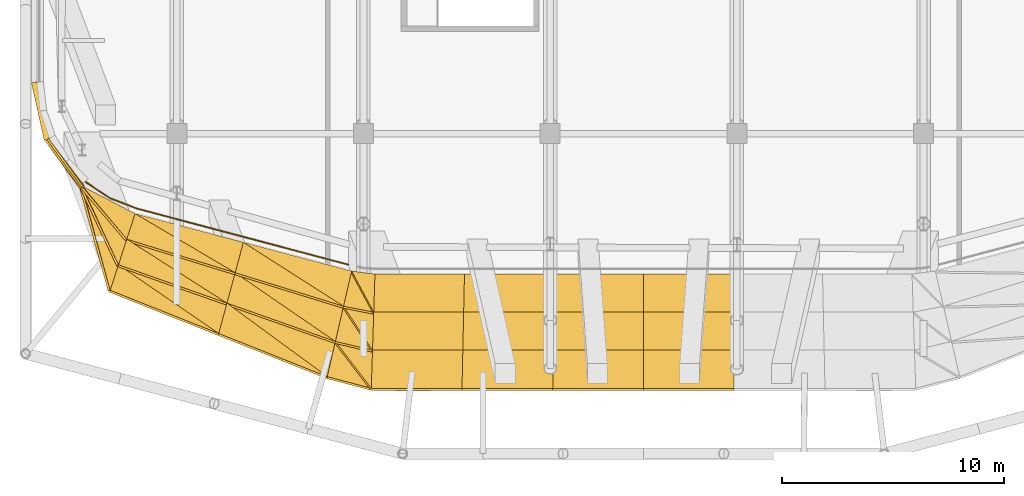
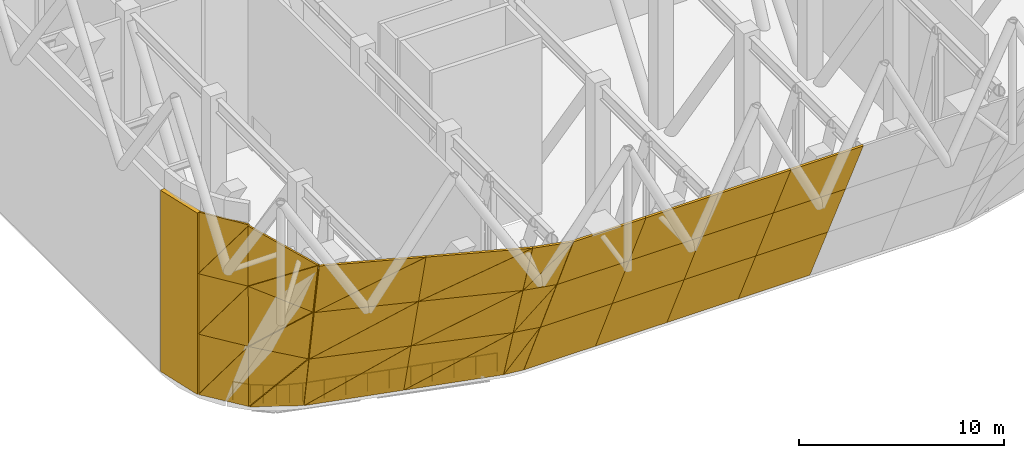
# One storey, part 15 of 20: 43 shading devices, 1 railing.
"""IFC4 building model written with IfcOpenShell, lengths in metres."""

from ifc_helpers import new_model, si_unit, direction, frame, frame_2d, origin, origin_2d, place, context, subcontext, project, spatial, polyline, rectangle, circle, outline, extrude, material, layer, layer_set, type_object, element, save


model = new_model("IFC4")

# Units and contexts
model_context = context("Model", 3, precision=1e-05, world=origin(), true_north=direction((0.0, 1.0)))
body_context = subcontext(model_context, "Body", "Model", "MODEL_VIEW")
ifc_project = project(units=[si_unit("LENGTHUNIT", "METRE"), si_unit("AREAUNIT", "SQUARE_METRE"), si_unit("VOLUMEUNIT", "CUBIC_METRE"), si_unit("PLANEANGLEUNIT", "RADIAN"), si_unit("MASSUNIT", "GRAM", prefix="KILO")], contexts=[model_context])

# Site, building, storey
site_placement = place(None, origin())
site = spatial("IfcSite", under=ifc_project, at=site_placement, CompositionType="ELEMENT")
building_placement = place(site_placement, origin())
building = spatial("IfcBuilding", under=site, at=building_placement, Name="Marenta Gate Hotel Tower", CompositionType="ELEMENT")
storey_placement = place(building_placement, frame((0.0, 0.0, 169.699951171875)))
storey = spatial("IfcBuildingStorey", under=building, at=storey_placement, Name="L40", CompositionType="ELEMENT", Elevation=169.699951171875)

# Railing
ifc_material_1 = material(Name="Stainless steel", Category="steel")
railing_type = type_object("IfcRailingType", Name="Guard 1100 stainless balustrade", PredefinedType="GUARDRAIL", material=ifc_material_1)
railing_placement = place(storey_placement, frame((-13.286376953125, -22.693603515625, 0.0)))
element("IfcRailing", 1, at=railing_placement, inside=storey, type_object=railing_type, Name="Guard", PredefinedType="GUARDRAIL", context=body_context, shape_type="SweptSolid", body=[
    extrude(circle(Radius=0.02392578125, at=origin_2d()), frame((0.0, 0.0, 1.076171875), z_axis=(-0.966561808758, 0.256433753337, 0.0), x_axis=(-0.256433753337, -0.966561808758, 0.0)), (0.0, 0.0, 1.0), 9.84423828125),
    extrude(circle(Radius=0.02392578125, at=origin_2d()), frame((-9.51513671875, 2.5244140625, 1.076171875), z_axis=(-0.932851670105, 0.360260685592, 0.0), x_axis=(-0.360260685592, -0.932851670105, 0.0)), (0.0, 0.0, 1.0), 1.2890625),
    extrude(circle(Radius=0.02392578125, at=origin_2d()), frame((-10.717529296875, 2.98876953125, 1.076171875), z_axis=(-0.83257703296, 0.553909274329, 0.0), x_axis=(-0.553909274329, -0.83257703296, 0.0)), (0.0, 0.0, 1.0), 1.28271484375),
    extrude(circle(Radius=0.02392578125, at=origin_2d()), frame((-11.785400390625, 3.69921875, 1.076171875), z_axis=(-0.692543260277, 0.721376346053, 0.0), x_axis=(-0.721376346053, -0.692543260277, 0.0)), (0.0, 0.0, 1.0), 0.88916015625),
    extrude(circle(Radius=0.02099609375, at=origin_2d()), origin(), (0.0, 0.0, 1.0), 1.052001953125),
    extrude(circle(Radius=0.02099609375, at=origin_2d()), frame((-1.05712890625, 0.280517578125, 0.0)), (0.0, 0.0, 1.0), 1.052001953125),
    extrude(circle(Radius=0.02099609375, at=origin_2d()), frame((-2.114501953125, 0.56103515625, 0.0)), (0.0, 0.0, 1.0), 1.052001953125),
    extrude(circle(Radius=0.02099609375, at=origin_2d()), frame((-3.171630859375, 0.841552734375, 0.0)), (0.0, 0.0, 1.0), 1.052001953125),
    extrude(circle(Radius=0.02099609375, at=origin_2d()), frame((-4.22900390625, 1.1220703125, 0.0)), (0.0, 0.0, 1.0), 1.052001953125),
    extrude(circle(Radius=0.02099609375, at=origin_2d()), frame((-5.2861328125, 1.40234375, 0.0)), (0.0, 0.0, 1.0), 1.052001953125),
    extrude(circle(Radius=0.02099609375, at=origin_2d()), frame((-6.343505859375, 1.682861328125, 0.0)), (0.0, 0.0, 1.0), 1.052001953125),
    extrude(circle(Radius=0.02099609375, at=origin_2d()), frame((-7.400634765625, 1.96337890625, 0.0)), (0.0, 0.0, 1.0), 1.052001953125),
    extrude(circle(Radius=0.02099609375, at=origin_2d()), frame((-8.4580078125, 2.243896484375, 0.0)), (0.0, 0.0, 1.0), 1.052001953125),
    extrude(circle(Radius=0.02099609375, at=origin_2d()), frame((-9.51513671875, 2.5244140625, 0.0)), (0.0, 0.0, 1.0), 1.052001953125),
    extrude(circle(Radius=0.02099609375, at=origin_2d()), frame((-10.1162109375, 2.756591796875, 0.0)), (0.0, 0.0, 1.0), 1.052001953125),
    extrude(circle(Radius=0.02099609375, at=origin_2d()), frame((-10.717529296875, 2.98876953125, 0.0)), (0.0, 0.0, 1.0), 1.052001953125),
    extrude(circle(Radius=0.02099609375, at=origin_2d()), frame((-11.25146484375, 3.343994140625, 0.0)), (0.0, 0.0, 1.0), 1.052001953125),
    extrude(circle(Radius=0.02099609375, at=origin_2d()), frame((-11.785400390625, 3.69921875, 0.0)), (0.0, 0.0, 1.0), 1.052001953125),
    extrude(circle(Radius=0.02099609375, at=origin_2d()), frame((-12.401123046875, 4.340576171875, 0.0)), (0.0, 0.0, 1.0), 1.052001953125),
])

# Shading devices
ifc_material_2 = material(Name="Bronze anodised aluminium louvre", Category="aluminium")
ifc_layer_1 = layer(ifc_material_2, 0.10009765625)
ifc_layer_set_1 = layer_set([ifc_layer_1], Name="Bronze anodised aluminium louvre")
shading_device_type_1 = type_object("IfcShadingDeviceType", Name="Louvre blade 100 mm inclined", PredefinedType="JALOUSIE", material=ifc_layer_set_1)
shading_device_1_placement = place(storey_placement, frame((-13.131103515625, -22.983154296875, 0.0), z_axis=(0.116818347026, 0.896163605039, 0.428070399353), x_axis=(0.99161070493, -0.129260240866, 0.0)))
element("IfcShadingDevice", 2, at=shading_device_1_placement, inside=storey, type_object=shading_device_type_1, Name="Louvre blade", PredefinedType="JALOUSIE", context=body_context, shape_type="SweptSolid", body=[
    extrude(outline(polyline([(0.0, 0.0), (1.05770149493729, 0.0), (1.223849954095166, -3.983530858270174), (0.0, 0.0)])), origin(), (0.0, 0.0, -1.0), 0.10009765625),
])
shading_device_2_placement = place(storey_placement, frame((-13.131103515625, -22.983154296875, 0.0), z_axis=(0.174709198164, 0.894601101177, 0.411297417753), x_axis=(0.238323578604, -0.443722415031, 0.863893679963)))
element("IfcShadingDevice", 3, at=shading_device_2_placement, inside=storey, type_object=shading_device_type_1, Name="Louvre blade", PredefinedType="JALOUSIE", context=body_context, shape_type="SweptSolid", body=[
    extrude(outline(polyline([(0.0, 0.0), (4.167292503404273, 0.0), (3.7256823218498223, -1.3122425699790419), (0.0, 0.0)])), origin(), (0.0, 0.0, -1.0), 0.10009765625),
])
shading_device_3_placement = place(storey_placement, frame((-13.496826171875, -24.56689453125, 3.60009765625), z_axis=(0.173479810517, 0.888306003073, 0.425226057819), x_axis=(0.981459051327, -0.191671934745, 0.0)))
element("IfcShadingDevice", 4, at=shading_device_3_placement, inside=storey, type_object=shading_device_type_1, Name="Louvre blade", PredefinedType="JALOUSIE", context=body_context, shape_type="SweptSolid", body=[
    extrude(outline(polyline([(0.0, 0.0), (1.3845577326055258, 1.3877787807814457e-17), (1.6583848189463573, -3.977355555562626), (0.0, 0.0)])), origin(), (0.0, 0.0, -1.0), 0.10009765625),
])
shading_device_4_placement = place(storey_placement, frame((-13.496826171875, -24.56689453125, 3.60009765625), z_axis=(0.209269791033, 0.887028866271, 0.411565237798), x_axis=(0.302481437709, -0.458962750867, 0.835379059564)))
element("IfcShadingDevice", 5, at=shading_device_4_placement, inside=storey, type_object=shading_device_type_1, Name="Louvre blade", PredefinedType="JALOUSIE", context=body_context, shape_type="SweptSolid", body=[
    extrude(outline(polyline([(0.0, 0.0), (4.309245574700592, -2.220446049250313e-16), (3.6236077556668973, -1.5719960968676352), (0.0, 0.0)])), origin(), (0.0, 0.0, -1.0), 0.10009765625),
])
shading_device_5_placement = place(storey_placement, frame((-13.862548828125, -26.15087890625, 7.199951171875), z_axis=(0.208095328582, 0.882050689098, 0.422709020586), x_axis=(0.973280708654, -0.229618514415, 0.0)))
element("IfcShadingDevice", 6, at=shading_device_5_placement, inside=storey, type_object=shading_device_type_1, Name="Louvre blade", PredefinedType="JALOUSIE", context=body_context, shape_type="SweptSolid", body=[
    extrude(outline(polyline([(0.0, 0.0), (1.7150133957075555, 0.0), (2.0539798605568302, -3.9724537845803267), (0.0, 0.0)])), origin(), (0.0, 0.0, -1.0), 0.10009765625),
])
shading_device_6_placement = place(storey_placement, frame((-13.862548828125, -26.15087890625, 7.199951171875), z_axis=(0.232398365026, 0.881331124241, 0.4113957333), x_axis=(0.360802260308, -0.47091546337, 0.805021959524)))
element("IfcShadingDevice", 7, at=shading_device_6_placement, inside=storey, type_object=shading_device_type_1, Name="Louvre blade", PredefinedType="JALOUSIE", context=body_context, shape_type="SweptSolid", body=[
    extrude(outline(polyline([(0.0, 0.0), (4.47204900892193, 0.0), (3.5120387581264096, -1.8080998569254239), (0.0, 0.0)])), origin(), (0.0, 0.0, -1.0), 0.10009765625),
])
shading_device_7_placement = place(storey_placement, frame((-12.082275390625, -23.119873046875, 0.0), z_axis=(0.0, 0.903048341594, 0.429538930418), x_axis=(1.0, 0.0, 0.0)))
element("IfcShadingDevice", 8, at=shading_device_7_placement, inside=storey, type_object=shading_device_type_1, Name="Louvre blade", PredefinedType="JALOUSIE", context=body_context, shape_type="SweptSolid", body=[
    extrude(outline(polyline([(0.0, 0.0), (4.02734375, 0.0), (3.990478515625, -3.9866056892320367), (-0.0556640625, -3.9866056892320367), (0.0, 0.0)])), origin(), (0.0, 0.0, -1.0), 0.10009765625),
])
shading_device_8_placement = place(storey_placement, frame((-12.137939453125, -24.832275390625, 3.60009765625), z_axis=(0.0, 0.903037041609, 0.429562686324), x_axis=(1.0, 0.0, 0.0)))
element("IfcShadingDevice", 9, at=shading_device_8_placement, inside=storey, type_object=shading_device_type_1, Name="Louvre blade", PredefinedType="JALOUSIE", context=body_context, shape_type="SweptSolid", body=[
    extrude(outline(polyline([(0.0, 0.0), (4.046142578125, 0.0), (4.009033203125, -3.986385219824869), (-0.055419921875, -3.986385219824869), (0.0, 0.0)])), origin(), (0.0, 0.0, -1.0), 0.10009765625),
])
shading_device_9_placement = place(storey_placement, frame((-12.193359375, -26.544677734375, 7.199951171875), z_axis=(0.0, 0.903072095579, 0.429488987271), x_axis=(1.0, 0.0, 0.0)))
element("IfcShadingDevice", 10, at=shading_device_9_placement, inside=storey, type_object=shading_device_type_1, Name="Louvre blade", PredefinedType="JALOUSIE", context=body_context, shape_type="SweptSolid", body=[
    extrude(outline(polyline([(0.0, 0.0), (4.064453125, 0.0), (4.02734375, -3.9865008274255973), (-0.0556640625, -3.9865008274255973), (0.0, 0.0)])), origin(), (0.0, 0.0, -1.0), 0.10009765625),
])
shading_device_10_placement = place(storey_placement, frame((-8.054931640625, -23.119873046875, 0.0), z_axis=(0.0, 0.903048341594, 0.429538930418), x_axis=(1.0, 0.0, 0.0)))
element("IfcShadingDevice", 11, at=shading_device_10_placement, inside=storey, type_object=shading_device_type_1, Name="Louvre blade", PredefinedType="JALOUSIE", context=body_context, shape_type="SweptSolid", body=[
    extrude(outline(polyline([(0.0, 0.0), (4.027587890625, 0.0), (4.009033203125, -3.9866056892320367), (-0.036865234375, -3.9866056892320367), (0.0, 0.0)])), origin(), (0.0, 0.0, -1.0), 0.10009765625),
])
shading_device_11_placement = place(storey_placement, frame((-8.091796875, -24.832275390625, 3.60009765625), z_axis=(0.0, 0.903037041609, 0.429562686324), x_axis=(1.0, 0.0, 0.0)))
element("IfcShadingDevice", 12, at=shading_device_11_placement, inside=storey, type_object=shading_device_type_1, Name="Louvre blade", PredefinedType="JALOUSIE", context=body_context, shape_type="SweptSolid", body=[
    extrude(outline(polyline([(0.0, 0.0), (4.0458984375, 0.0), (4.02734375, -3.9863852198248684), (-0.037109375, -3.9863852198248684), (0.0, 0.0)])), origin(), (0.0, 0.0, -1.0), 0.10009765625),
])
shading_device_12_placement = place(storey_placement, frame((-8.12890625, -26.544677734375, 7.199951171875), z_axis=(0.0, 0.903072095579, 0.429488987271), x_axis=(1.0, 0.0, 0.0)))
element("IfcShadingDevice", 13, at=shading_device_12_placement, inside=storey, type_object=shading_device_type_1, Name="Louvre blade", PredefinedType="JALOUSIE", context=body_context, shape_type="SweptSolid", body=[
    extrude(outline(polyline([(0.0, 0.0), (4.064453125, 0.0), (4.0458984375, -3.9865008274255973), (-0.037109375, -3.9865008274255973), (0.0, 0.0)])), origin(), (0.0, 0.0, -1.0), 0.10009765625),
])
shading_device_13_placement = place(storey_placement, frame((-4.02734375, -23.119873046875, 0.0), z_axis=(0.0, 0.903048341594, 0.429538930418), x_axis=(1.0, 0.0, 0.0)))
element("IfcShadingDevice", 14, at=shading_device_13_placement, inside=storey, type_object=shading_device_type_1, Name="Louvre blade", PredefinedType="JALOUSIE", context=body_context, shape_type="SweptSolid", body=[
    extrude(outline(polyline([(0.0, 0.0), (4.02734375, 0.0), (4.02734375, -3.986605689232036), (-0.0185546875, -3.986605689232036), (0.0, 0.0)])), origin(), (0.0, 0.0, -1.0), 0.10009765625),
])
shading_device_14_placement = place(storey_placement, frame((-4.0458984375, -24.832275390625, 3.60009765625), z_axis=(0.0, 0.903037041609, 0.429562686324), x_axis=(1.0, 0.0, 0.0)))
element("IfcShadingDevice", 15, at=shading_device_14_placement, inside=storey, type_object=shading_device_type_1, Name="Louvre blade", PredefinedType="JALOUSIE", context=body_context, shape_type="SweptSolid", body=[
    extrude(outline(polyline([(0.0, 0.0), (4.0458984375, 0.0), (4.0458984375, -3.9863852198248684), (-0.0185546875, -3.9863852198248684), (0.0, 0.0)])), origin(), (0.0, 0.0, -1.0), 0.10009765625),
])
shading_device_15_placement = place(storey_placement, frame((-4.064453125, -26.544677734375, 7.199951171875), z_axis=(0.0, 0.903072095579, 0.429488987271), x_axis=(1.0, 0.0, 0.0)))
element("IfcShadingDevice", 16, at=shading_device_15_placement, inside=storey, type_object=shading_device_type_1, Name="Louvre blade", PredefinedType="JALOUSIE", context=body_context, shape_type="SweptSolid", body=[
    extrude(outline(polyline([(0.0, 0.0), (4.064453125, 0.0), (4.064453125, -3.9865008274255973), (-0.0185546875, -3.9865008274255973), (0.0, 0.0)])), origin(), (0.0, 0.0, -1.0), 0.10009765625),
])
shading_device_16_placement = place(storey_placement, frame((0.0, -23.119873046875, 0.0), z_axis=(0.0, 0.903048341594, 0.429538930418), x_axis=(1.0, 0.0, 0.0)))
element("IfcShadingDevice", 17, at=shading_device_16_placement, inside=storey, type_object=shading_device_type_1, Name="Louvre blade", PredefinedType="JALOUSIE", context=body_context, shape_type="SweptSolid", body=[
    extrude(outline(polyline([(0.0, 0.0), (4.02734375, 0.0), (4.0458984375, -3.986605689232036), (0.0, -3.986605689232036), (0.0, 0.0)])), origin(), (0.0, 0.0, -1.0), 0.10009765625),
])
shading_device_17_placement = place(storey_placement, frame((0.0, -24.832275390625, 3.60009765625), z_axis=(0.0, 0.903037041609, 0.429562686324), x_axis=(1.0, 0.0, 0.0)))
element("IfcShadingDevice", 18, at=shading_device_17_placement, inside=storey, type_object=shading_device_type_1, Name="Louvre blade", PredefinedType="JALOUSIE", context=body_context, shape_type="SweptSolid", body=[
    extrude(outline(polyline([(0.0, 0.0), (4.0458984375, 0.0), (4.064453125, -3.9863852198248684), (0.0, -3.9863852198248684), (0.0, 0.0)])), origin(), (0.0, 0.0, -1.0), 0.10009765625),
])
shading_device_18_placement = place(storey_placement, frame((0.0, -26.544677734375, 7.199951171875), z_axis=(0.0, 0.903072095579, 0.429488987271), x_axis=(1.0, 0.0, 0.0)))
element("IfcShadingDevice", 19, at=shading_device_18_placement, inside=storey, type_object=shading_device_type_1, Name="Louvre blade", PredefinedType="JALOUSIE", context=body_context, shape_type="SweptSolid", body=[
    extrude(outline(polyline([(0.0, 0.0), (4.064453125, 0.0), (4.0830078125, -3.9865008274255973), (0.0, -3.9865008274255973), (0.0, 0.0)])), origin(), (0.0, 0.0, -1.0), 0.10009765625),
])
shading_device_19_placement = place(storey_placement, frame((-26.844482421875, -17.0751953125, 0.0), z_axis=(0.792624298666, 0.609668544918, 0.007140483239), x_axis=(0.609684087946, -0.792644506009, 0.0)))
element("IfcShadingDevice", 20, at=shading_device_19_placement, inside=storey, type_object=shading_device_type_1, Name="Louvre blade", PredefinedType="JALOUSIE", context=body_context, shape_type="SweptSolid", body=[
    extrude(outline(polyline([(0.0, 0.0), (2.6541025007766863, 0.0), (2.6598938318144043, -3.6001894379508963), (0.0, 0.0)])), origin(), (0.0, 0.0, -1.0), 0.10009765625),
])
shading_device_20_placement = place(storey_placement, frame((-26.844482421875, -17.0751953125, 0.0), z_axis=(-0.798499631902, -0.601995297201, 0.0), x_axis=(0.357740282126, -0.474514476977, 0.804274767529)))
element("IfcShadingDevice", 21, at=shading_device_20_placement, inside=storey, type_object=shading_device_type_1, Name="Louvre blade", PredefinedType="JALOUSIE", context=body_context, shape_type="SweptSolid", body=[
    extrude(outline(polyline([(0.0, 0.0), (4.476203657750338, 4.440892098500626e-16), (2.8954677055624787, 2.1393854025353876), (0.0, 0.0)])), origin(), (0.0, 0.0, -1.0), 0.10009765625),
])
shading_device_21_placement = place(storey_placement, frame((-26.844482421875, -17.0751953125, 3.60009765625), z_axis=(0.79847936298, 0.601980016297, 0.00712508765), x_axis=(0.601995297201, -0.798499631902, 0.0)))
element("IfcShadingDevice", 22, at=shading_device_21_placement, inside=storey, type_object=shading_device_type_1, Name="Louvre blade", PredefinedType="JALOUSIE", context=body_context, shape_type="SweptSolid", body=[
    extrude(outline(polyline([(0.0, 0.0), (2.6600180546606746, 0.0), (2.6660575551345596, -3.599944895759286), (0.0, 0.0)])), origin(), (0.0, 0.0, -1.0), 0.10009765625),
])
shading_device_22_placement = place(storey_placement, frame((-26.844482421875, -17.0751953125, 3.60009765625), z_axis=(-0.804254158843, -0.594285493668, 0.0), x_axis=(0.353702785008, -0.478670502423, 0.803597467634)))
element("IfcShadingDevice", 23, at=shading_device_22_placement, inside=storey, type_object=shading_device_type_1, Name="Louvre blade", PredefinedType="JALOUSIE", context=body_context, shape_type="SweptSolid", body=[
    extrude(outline(polyline([(0.0, 0.0), (4.479672548277764, 4.440892098500626e-16), (2.8928331690091533, 2.1425362517908852), (0.0, 0.0)])), origin(), (0.0, 0.0, -1.0), 0.10009765625),
])
shading_device_23_placement = place(storey_placement, frame((-26.844482421875, -17.0751953125, 7.199951171875), z_axis=(0.804233527896, 0.594270248895, 0.007162673105), x_axis=(0.594285493668, -0.804254158843, 0.0)))
element("IfcShadingDevice", 24, at=shading_device_23_placement, inside=storey, type_object=shading_device_type_1, Name="Louvre blade", PredefinedType="JALOUSIE", context=body_context, shape_type="SweptSolid", body=[
    extrude(outline(polyline([(0.0, 0.0), (2.6661809401906176, -1.734723475976807e-18), (2.672321836339825, -3.6001900093034656), (0.0, 0.0)])), origin(), (0.0, 0.0, -1.0), 0.10009765625),
])
shading_device_24_placement = place(storey_placement, frame((-26.844482421875, -17.0751953125, 7.199951171875), z_axis=(-0.809951100151, -0.586497412922, 0.0), x_axis=(0.349581294069, -0.482770678071, 0.802947938059)))
element("IfcShadingDevice", 25, at=shading_device_24_placement, inside=storey, type_object=shading_device_type_1, Name="Louvre blade", PredefinedType="JALOUSIE", context=body_context, shape_type="SweptSolid", body=[
    extrude(outline(polyline([(0.0, 0.0), (4.4836003501725195, 4.440892098500626e-16), (2.8906909898956634, 2.145835206970184), (0.0, 0.0)])), origin(), (0.0, 0.0, -1.0), 0.10009765625),
])
shading_device_25_placement = place(storey_placement, frame((-25.226318359375, -19.178955078125, 0.0), z_axis=(0.4369066916, 0.842655774585, 0.314712231083), x_axis=(0.88776569567, -0.460295632819, 0.0)))
element("IfcShadingDevice", 26, at=shading_device_25_placement, inside=storey, type_object=shading_device_type_1, Name="Louvre blade", PredefinedType="JALOUSIE", context=body_context, shape_type="SweptSolid", body=[
    extrude(outline(polyline([(0.0, 0.0), (2.6477548625340592, 0.0), (2.8458876991392543, -3.7928218101304774), (0.0, 0.0)])), origin(), (0.0, 0.0, -1.0), 0.10009765625),
])
shading_device_26_placement = place(storey_placement, frame((-25.226318359375, -19.178955078125, 0.0), z_axis=(0.762409957981, 0.6470541543, 0.007209533562), x_axis=(0.416941852674, -0.499732973827, 0.759227532666)))
element("IfcShadingDevice", 27, at=shading_device_26_placement, inside=storey, type_object=shading_device_type_1, Name="Louvre blade", PredefinedType="JALOUSIE", context=body_context, shape_type="SweptSolid", body=[
    extrude(outline(polyline([(0.0, 0.0), (4.741790176664669, -4.440892098500626e-16), (2.7363960072483238, -2.339558595155037), (0.0, 0.0)])), origin(), (0.0, 0.0, -1.0), 0.10009765625),
])
shading_device_27_placement = place(storey_placement, frame((-25.2431640625, -19.19921875, 3.60009765625), z_axis=(0.733032530336, 0.622121653877, 0.27500537676), x_axis=(0.647070971044, -0.762429772787, 0.0)))
element("IfcShadingDevice", 28, at=shading_device_27_placement, inside=storey, type_object=shading_device_type_1, Name="Louvre blade", PredefinedType="JALOUSIE", context=body_context, shape_type="SweptSolid", body=[
    extrude(outline(polyline([(0.0, 0.0), (3.0814185361441706, 0.0), (3.7170211465571104, -3.744220596495017), (0.0, 0.0)])), origin(), (0.0, 0.0, -1.0), 0.10009765625),
])
shading_device_28_placement = place(storey_placement, frame((-25.2431640625, -19.19921875, 3.60009765625), z_axis=(0.904866419846, 0.425643983799, 0.006630331205), x_axis=(0.307077099795, -0.663436464701, 0.682316431054)))
element("IfcShadingDevice", 29, at=shading_device_28_placement, inside=storey, type_object=shading_device_type_1, Name="Louvre blade", PredefinedType="JALOUSIE", context=body_context, shape_type="SweptSolid", body=[
    extrude(outline(polyline([(0.0, 0.0), (5.27592968861131, 0.0), (2.4645099322693587, -2.624086607148284), (0.0, 0.0)])), origin(), (0.0, 0.0, -1.0), 0.10009765625),
])
shading_device_29_placement = place(storey_placement, frame((-25.260009765625, -19.219482421875, 7.199951171875), z_axis=(0.88187470563, 0.414828813052, 0.224084937985), x_axis=(0.425653340037, -0.90488631005, 0.0)))
element("IfcShadingDevice", 30, at=shading_device_29_placement, inside=storey, type_object=shading_device_type_1, Name="Louvre blade", PredefinedType="JALOUSIE", context=body_context, shape_type="SweptSolid", body=[
    extrude(outline(polyline([(0.0, 0.0), (3.8457654073233365, 5.551115123125783e-17), (4.7279625677258, -3.694038465085899), (0.0, 0.0)])), origin(), (0.0, 0.0, -1.0), 0.10009765625),
])
shading_device_30_placement = place(storey_placement, frame((-25.260009765625, -19.219482421875, 7.199951171875), z_axis=(0.963507409345, 0.267612601251, 0.006080114238), x_axis=(0.210572604492, -0.771774026938, 0.600020024317)))
element("IfcShadingDevice", 31, at=shading_device_30_placement, inside=storey, type_object=shading_device_type_1, Name="Louvre blade", PredefinedType="JALOUSIE", context=body_context, shape_type="SweptSolid", body=[
    extrude(outline(polyline([(0.0, 0.0), (5.999962518495472, 0.0), (2.172171005982168, -2.8710762676154076), (0.0, 0.0)])), origin(), (0.0, 0.0, -1.0), 0.10009765625),
])
shading_device_31_placement = place(storey_placement, frame((-22.875732421875, -20.397705078125, 0.0), z_axis=(0.23864005768, 0.899440912392, 0.366137908425), x_axis=(0.966558127958, -0.256447626774, 0.0)))
element("IfcShadingDevice", 32, at=shading_device_31_placement, inside=storey, type_object=shading_device_type_1, Name="Louvre blade", PredefinedType="JALOUSIE", context=body_context, shape_type="SweptSolid", body=[
    extrude(outline(polyline([(0.0, 0.0), (5.040891294782552, -1.1102230246251565e-16), (5.034298070132957, -3.868740684517821), (0.0, 0.0)])), origin(), (0.0, 0.0, -1.0), 0.10009765625),
])
shading_device_32_placement = place(storey_placement, frame((-22.875732421875, -20.397705078125, 0.0), z_axis=(0.280274759491, 0.905520506521, 0.31855717142), x_axis=(0.709182734904, -0.418980376268, 0.567023185431)))
element("IfcShadingDevice", 33, at=shading_device_32_placement, inside=storey, type_object=shading_device_type_1, Name="Louvre blade", PredefinedType="JALOUSIE", context=body_context, shape_type="SweptSolid", body=[
    extrude(outline(polyline([(0.0, 0.0), (6.349118958012034, 0.0), (2.25862983439585, -3.0534153296791486), (0.0, 0.0)])), origin(), (0.0, 0.0, -1.0), 0.10009765625),
])
shading_device_33_placement = place(storey_placement, frame((-23.249267578125, -21.548583984375, 3.60009765625), z_axis=(0.275166130284, 0.889015386632, 0.365971642449), x_axis=(0.955287498997, -0.295678531958, 0.0)))
element("IfcShadingDevice", 34, at=shading_device_33_placement, inside=storey, type_object=shading_device_type_1, Name="Louvre blade", PredefinedType="JALOUSIE", context=body_context, shape_type="SweptSolid", body=[
    extrude(outline(polyline([(0.0, 0.0), (5.1044535893611505, 0.0), (5.155438671518588, -3.8682064600977606), (0.0, 0.0)])), origin(), (0.0, 0.0, -1.0), 0.10009765625),
])
shading_device_34_placement = place(storey_placement, frame((-23.249267578125, -21.548583984375, 3.60009765625), z_axis=(0.316043836489, 0.893676651234, 0.318525252464), x_axis=(0.69917074056, -0.44632835822, 0.558525981664)))
element("IfcShadingDevice", 35, at=shading_device_34_placement, inside=storey, type_object=shading_device_type_1, Name="Louvre blade", PredefinedType="JALOUSIE", context=body_context, shape_type="SweptSolid", body=[
    extrude(outline(polyline([(0.0, 0.0), (6.445274944773992, 0.0), (2.262946063595544, -3.049959617247197), (0.0, 0.0)])), origin(), (0.0, 0.0, -1.0), 0.10009765625),
])
shading_device_35_placement = place(storey_placement, frame((-23.623046875, -22.699462890625, 7.199951171875), z_axis=(0.310383917006, 0.877672105961, 0.365175982892), x_axis=(0.942782042557, -0.33340968827, 0.0)))
element("IfcShadingDevice", 36, at=shading_device_35_placement, inside=storey, type_object=shading_device_type_1, Name="Louvre blade", PredefinedType="JALOUSIE", context=body_context, shape_type="SweptSolid", body=[
    extrude(outline(polyline([(0.0, 0.0), (5.176304525158662, 1.1102230246251565e-16), (5.283658588118231, -3.8671702093642883), (0.0, 0.0)])), origin(), (0.0, 0.0, -1.0), 0.10009765625),
])
shading_device_36_placement = place(storey_placement, frame((-23.623046875, -22.699462890625, 7.199951171875), z_axis=(0.350373531534, 0.880998302958, 0.317931405472), x_axis=(0.688870133655, -0.472384071625, 0.549828362158)))
element("IfcShadingDevice", 37, at=shading_device_36_placement, inside=storey, type_object=shading_device_type_1, Name="Louvre blade", PredefinedType="JALOUSIE", context=body_context, shape_type="SweptSolid", body=[
    extrude(outline(polyline([(0.0, 0.0), (6.547675427507855, 0.0), (2.26566012047396, -3.048110271930836), (0.0, 0.0)])), origin(), (0.0, 0.0, -1.0), 0.10009765625),
])
shading_device_37_placement = place(storey_placement, frame((-18.00341796875, -21.6904296875, 0.0), z_axis=(0.233750110087, 0.881010566008, 0.411316506619), x_axis=(0.966558127958, -0.256447626774, 0.0)))
element("IfcShadingDevice", 38, at=shading_device_37_placement, inside=storey, type_object=shading_device_type_1, Name="Louvre blade", PredefinedType="JALOUSIE", context=body_context, shape_type="SweptSolid", body=[
    extrude(outline(polyline([(0.0, 0.0), (5.040891294782552, -1.1102230246251565e-16), (5.093545513338401, -3.949673006601655), (0.0, 0.0)])), origin(), (0.0, 0.0, -1.0), 0.10009765625),
])
shading_device_38_placement = place(storey_placement, frame((-18.00341796875, -21.6904296875, 0.0), z_axis=(0.275129826732, 0.889041907347, 0.365934509747), x_axis=(0.699187129696, -0.446276762668, 0.558546693456)))
element("IfcShadingDevice", 39, at=shading_device_38_placement, inside=storey, type_object=shading_device_type_1, Name="Louvre blade", PredefinedType="JALOUSIE", context=body_context, shape_type="SweptSolid", body=[
    extrude(outline(polyline([(0.0, 0.0), (6.44547304358086, 0.0), (2.3626358337496898, -3.0635191972201845), (0.0, 0.0)])), origin(), (0.0, 0.0, -1.0), 0.10009765625),
])
shading_device_39_placement = place(storey_placement, frame((-18.373046875, -23.057861328125, 3.60009765625), z_axis=(0.269557456348, 0.871035605184, 0.410652836626), x_axis=(0.955301007859, -0.295634883572, 0.0)))
element("IfcShadingDevice", 40, at=shading_device_39_placement, inside=storey, type_object=shading_device_type_1, Name="Louvre blade", PredefinedType="JALOUSIE", context=body_context, shape_type="SweptSolid", body=[
    extrude(outline(polyline([(0.0, 0.0), (5.104381407547693, 0.0), (5.2232872217175785, -3.9481092060444545), (0.0, 0.0)])), origin(), (0.0, 0.0, -1.0), 0.10009765625),
])
shading_device_40_placement = place(storey_placement, frame((-18.373046875, -23.057861328125, 3.60009765625), z_axis=(0.310318961689, 0.877656486159, 0.365268715221), x_axis=(0.688884256299, -0.472393756052, 0.549802346909)))
element("IfcShadingDevice", 41, at=shading_device_40_placement, inside=storey, type_object=shading_device_type_1, Name="Louvre blade", PredefinedType="JALOUSIE", context=body_context, shape_type="SweptSolid", body=[
    extrude(outline(polyline([(0.0, 0.0), (6.547541195243532, 0.0), (2.3703743614546973, -3.057277560690701), (0.0, 0.0)])), origin(), (0.0, 0.0, -1.0), 0.10009765625),
])
shading_device_41_placement = place(storey_placement, frame((-18.742919921875, -24.42529296875, 7.199951171875), z_axis=(0.304138990308, 0.86017804418, 0.40938149309), x_axis=(0.942802108747, -0.333352941702, 0.0)))
element("IfcShadingDevice", 42, at=shading_device_41_placement, inside=storey, type_object=shading_device_type_1, Name="Louvre blade", PredefinedType="JALOUSIE", context=body_context, shape_type="SweptSolid", body=[
    extrude(outline(polyline([(0.0, 0.0), (5.176453307082788, 0.0), (5.3594448902740455, -3.9459036242256333), (0.0, 0.0)])), origin(), (0.0, 0.0, -1.0), 0.10009765625),
])
shading_device_42_placement = place(storey_placement, frame((-18.742919921875, -24.42529296875, 7.199951171875), z_axis=(0.34419506304, 0.865462825051, 0.364010792468), x_axis=(0.678311150334, -0.497278998103, 0.540932141195)))
element("IfcShadingDevice", 43, at=shading_device_42_placement, inside=storey, type_object=shading_device_type_1, Name="Louvre blade", PredefinedType="JALOUSIE", context=body_context, shape_type="SweptSolid", body=[
    extrude(outline(polyline([(0.0, 0.0), (6.655359114545327, 0.0), (2.3765587553293415, -3.0526216282887093), (0.0, 0.0)])), origin(), (0.0, 0.0, -1.0), 0.10009765625),
])
ifc_material_3 = material(Name="Bronze anodised aluminium louvre", Category="aluminium")
ifc_layer_2 = layer(ifc_material_3, 0.25)
ifc_layer_set_2 = layer_set([ifc_layer_2], Name="Bronze anodised aluminium louvre")
shading_device_type_2 = type_object("IfcShadingDeviceType", Name="Louvred plant screen 250 mm", PredefinedType="JALOUSIE", material=ifc_layer_set_2)
shading_device_43_placement = place(storey_placement, frame((-27.419921875, -14.490966796875, 0.0), z_axis=(0.0, 0.0, 1.0), x_axis=(0.21735028632, -0.976093670216, 0.0)))
element("IfcShadingDevice", 44, at=shading_device_43_placement, inside=storey, type_object=shading_device_type_2, Name="Louvred plant screen", PredefinedType="JALOUSIE", context=body_context, shape_type="SweptSolid", body=[
    extrude(rectangle(XDim=2.6474609375, YDim=0.25, at=frame_2d((1.32373046875, 0.0))), origin(), (0.0, 0.0, 1.0), 10.800048828125),
])

save(model, "model.ifc")
